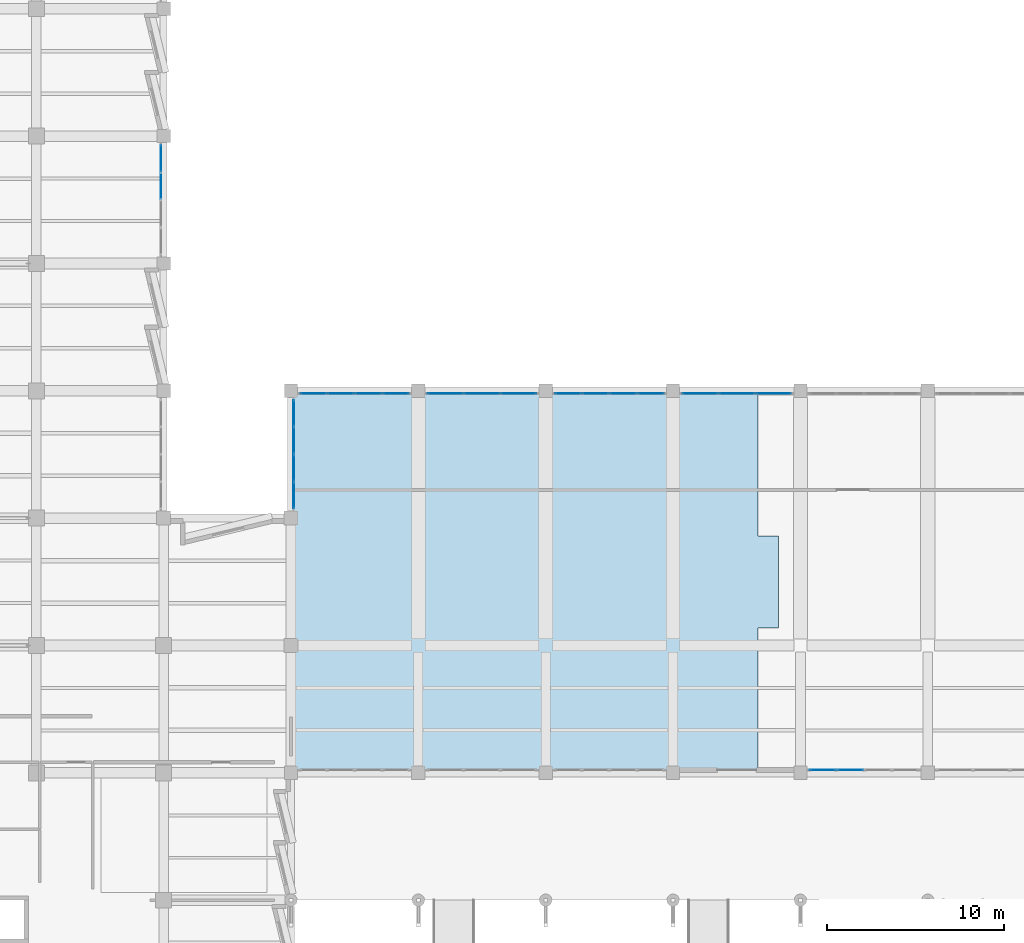
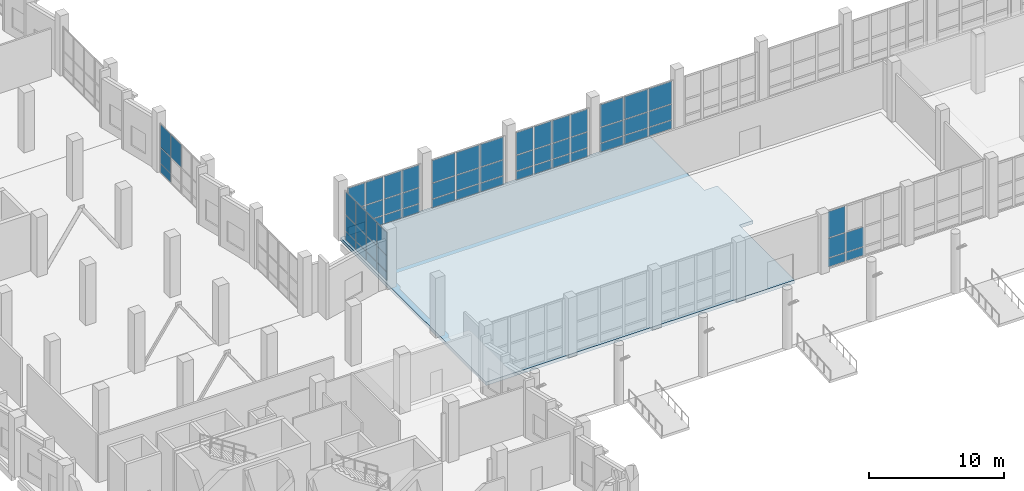
# One storey, part 86 of 137: 63 plates, 1 slab, 7 elements without a shape of their own.
"""IFC4 building model written with IfcOpenShell, lengths in metres."""

import ifcopenshell
import ifcopenshell.guid

model = None  # the IFC model being written
_history = None  # IfcOwnerHistory: only IFC2X3 demands one
_inside = {}  # id of a spatial element -> (the spatial element, [elements in it])
_under = {}  # id of a project, library or spatial element -> (it, [spatial elements below it])
_declared = {}  # id of a project -> (the project, [libraries it declares])
_typed = {}  # id of a type object -> (the type object, [elements of that type])
_made_of = {}  # id of a material, layer set ... -> (it, [elements and type objects made of it])


def new_model(schema):
    """Start an empty IFC model of exactly this schema.

    Asked for "IFC4X3", IfcOpenShell would pick the latest addendum, in which some entities
    have other attributes; the version numbers below select the first issue.
    IFC2X3 requires an IfcOwnerHistory on every rooted entity: one is made here for all.
    """
    global model, _history
    if schema == "IFC4X3":
        model = ifcopenshell.file(schema_version=(4, 3, 0, 0))
    else:
        model = ifcopenshell.file(schema=schema)
    _inside.clear()
    _under.clear()
    _declared.clear()
    _typed.clear()
    _made_of.clear()
    _history = None
    if model.schema == "IFC2X3":
        org = make("IfcOrganization", Name="unknown")
        user = make(
            "IfcPersonAndOrganization",
            ThePerson=make("IfcPerson", FamilyName="unknown"),
            TheOrganization=org,
        )
        app = make(
            "IfcApplication",
            ApplicationDeveloper=org,
            Version="unknown",
            ApplicationFullName="unknown",
            ApplicationIdentifier="unknown",
        )
        _history = make(
            "IfcOwnerHistory",
            OwningUser=user,
            OwningApplication=app,
            ChangeAction="ADDED",
            CreationDate=0,
        )
    return model


def make(cls, **values):
    """One entity of the class cls with the attributes given. An attribute that is None is left unset."""
    return model.create_entity(
        cls, **{name: value for name, value in values.items() if value is not None}
    )


def rooted(cls, **values):
    """An entity with a GlobalId (a new one), such as an element, a storey or a relation."""
    return make(cls, GlobalId=ifcopenshell.guid.new(), OwnerHistory=_history, **values)


def si_unit(unit_type, name, prefix=None):
    """IfcSIUnit, for example si_unit("LENGTHUNIT", "METRE", prefix="MILLI")."""
    return make("IfcSIUnit", UnitType=unit_type, Prefix=prefix, Name=name)


def assignment(units):
    """IfcUnitAssignment: the units of a project."""
    return None if units is None else make("IfcUnitAssignment", Units=units)


def point(xyz):
    """IfcCartesianPoint."""
    return None if xyz is None else make("IfcCartesianPoint", Coordinates=xyz)


def direction(xyz):
    """IfcDirection."""
    return None if xyz is None else make("IfcDirection", DirectionRatios=xyz)


def frame(location, z_axis=None, x_axis=None):
    """IfcAxis2Placement3D, a coordinate frame: its origin and axes. An axis left out is left unset."""
    return make(
        "IfcAxis2Placement3D",
        Location=point(location),
        Axis=direction(z_axis),
        RefDirection=direction(x_axis),
    )


def frame_2d(location, x_axis=None):
    """IfcAxis2Placement2D, a coordinate frame in the plane: its origin and x axis."""
    return make(
        "IfcAxis2Placement2D", Location=point(location), RefDirection=direction(x_axis)
    )


def origin():
    """The frame at (0, 0, 0) with its axes left unset."""
    return frame((0.0, 0.0, 0.0))


def origin_2d():
    """The frame at (0, 0) in the plane with its x axis left unset."""
    return frame_2d((0.0, 0.0))


def place(relative_to, where):
    """IfcLocalPlacement: puts the frame where relative to a parent placement (None: the world)."""
    return make(
        "IfcLocalPlacement", PlacementRelTo=relative_to, RelativePlacement=where
    )


def context(
    kind, dimensions, precision=None, world=None, true_north=None, identifier=None
):
    """IfcGeometricRepresentationContext, for example the 3D "Model" context."""
    return make(
        "IfcGeometricRepresentationContext",
        ContextIdentifier=identifier,
        ContextType=kind,
        CoordinateSpaceDimension=dimensions,
        Precision=precision,
        WorldCoordinateSystem=world,
        TrueNorth=true_north,
    )


def subcontext(parent, identifier, kind, view, scale=None):
    """IfcGeometricRepresentationSubContext, for example "Body" below "Model"."""
    return make(
        "IfcGeometricRepresentationSubContext",
        ContextIdentifier=identifier,
        ContextType=kind,
        ParentContext=parent,
        TargetScale=scale,
        TargetView=view,
    )


def project(units=None, contexts=None):
    """IfcProject with its units and contexts."""
    return rooted(
        "IfcProject",
        Name="project",
        RepresentationContexts=contexts,
        UnitsInContext=assignment(units),
    )


def spatial(cls, under=None, at=None, **own):
    """A site, building, storey or space (cls), placed at a placement, below another one or the project."""
    s = rooted(cls, ObjectPlacement=at, **own)
    if under is not None:
        _under.setdefault(under.id(), (under, []))[1].append(s)
    return s


def polyline(points):
    """IfcPolyline through the points."""
    return make("IfcPolyline", Points=[point(p) for p in points])


def profile(cls, at=None, kind="AREA", **sizes):
    """A parametric profile (cls). Its sizes go by their IFC names, for example OverallWidth=200.0."""
    return make(cls, ProfileType=kind, Position=at, **sizes)


def rectangle(**sizes):
    """IfcRectangleProfileDef."""
    return profile("IfcRectangleProfileDef", **sizes)


def outline(outer, holes=None, kind="AREA"):
    """IfcArbitraryClosedProfileDef: a profile drawn as a closed curve; with holes, ...WithVoids."""
    if holes is None:
        return make("IfcArbitraryClosedProfileDef", ProfileType=kind, OuterCurve=outer)
    return make(
        "IfcArbitraryProfileDefWithVoids",
        ProfileType=kind,
        OuterCurve=outer,
        InnerCurves=holes,
    )


def extrude(swept, where, along, depth):
    """IfcExtrudedAreaSolid: the profile swept, set in the frame where, extruded along a direction by depth."""
    return make(
        "IfcExtrudedAreaSolid",
        SweptArea=swept,
        Position=where,
        ExtrudedDirection=direction(along),
        Depth=depth,
    )


def shape(context_of_items, identifier, shape_type, items):
    """IfcShapeRepresentation: the items that make up one representation, for example the "Body"."""
    return make(
        "IfcShapeRepresentation",
        ContextOfItems=context_of_items,
        RepresentationIdentifier=identifier,
        RepresentationType=shape_type,
        Items=items,
    )


def material(Name=None, Category=None):
    """IfcMaterial."""
    return make("IfcMaterial", Name=Name, Category=Category)


def layer(
    of_material, thickness, ventilated=None, Name=None, Category=None, Priority=None
):
    """IfcMaterialLayer: one layer of a wall or slab, of a material (None: an air gap)."""
    return make(
        "IfcMaterialLayer",
        Material=of_material,
        LayerThickness=thickness,
        IsVentilated=ventilated,
        Name=Name,
        Category=Category,
        Priority=Priority,
    )


def layer_set(layers, Name=None):
    """IfcMaterialLayerSet."""
    return make("IfcMaterialLayerSet", MaterialLayers=layers, LayerSetName=Name)


def made_of(thing, what):
    """Note that an element or type object is made of a material, layer set ...; save() writes the relation."""
    if what is not None:
        _made_of.setdefault(what.id(), (what, []))[1].append(thing)
    return thing


def type_object(cls, material=None, **own):
    """A type object (cls), such as IfcWallType, which elements share."""
    return made_of(rooted(cls, **own), material)


def element(
    cls,
    number,
    at=None,
    inside=None,
    cuts=None,
    type_object=None,
    material=None,
    context=None,
    identifier="Body",
    shape_type=None,
    held_by="IfcProductDefinitionShape",
    body=None,
    shapes=None,
    **own,
):
    """One element of the class cls, such as IfcWall. Its Tag is "e" and its number.

    at: its placement. inside: the storey or other place that contains it. cuts: it is an
    opening in that element (IfcRelVoidsElement). A single representation is given by context,
    identifier, shape_type and body (its items); several are given by shapes. held_by: the class
    of the entity that holds the representations. save() writes the other relations.
    """
    e = rooted(cls, Tag="e%d" % number, ObjectPlacement=at, **own)
    if body is not None:
        shapes = [shape(context, identifier, shape_type, body)]
    if shapes is not None:
        e.Representation = make(held_by, Representations=shapes)
    if inside is not None:
        _inside.setdefault(inside.id(), (inside, []))[1].append(e)
    if cuts is not None:
        rooted(
            "IfcRelVoidsElement", RelatingBuildingElement=cuts, RelatedOpeningElement=e
        )
    if type_object is not None:
        _typed.setdefault(type_object.id(), (type_object, []))[1].append(e)
    return made_of(e, material)


def aggregate(whole, parts):
    """IfcRelAggregates: a whole, such as a stair, and the parts it consists of."""
    return rooted("IfcRelAggregates", RelatingObject=whole, RelatedObjects=parts)


def save(model, path):
    """Write the relations noted so far, then the file.

    IfcRelAggregates (storeys below a building ...), IfcRelContainedInSpatialStructure (elements
    in a storey), IfcRelDefinesByType, IfcRelAssociatesMaterial and IfcRelDeclares: one each for
    every whole, place, type object, material and project.
    """
    for whole, parts in _under.values():
        aggregate(whole, parts)
    for where, things in _inside.values():
        rooted(
            "IfcRelContainedInSpatialStructure",
            RelatedElements=things,
            RelatingStructure=where,
        )
    for kind, things in _typed.values():
        rooted("IfcRelDefinesByType", RelatedObjects=things, RelatingType=kind)
    for what, things in _made_of.values():
        rooted("IfcRelAssociatesMaterial", RelatedObjects=things, RelatingMaterial=what)
    for by, libraries in _declared.values():
        rooted("IfcRelDeclares", RelatingContext=by, RelatedDefinitions=libraries)
    model.write(path)


model = new_model("IFC4")

# Units and contexts
model_context = context("Model", 3, precision=1e-05, world=origin(), true_north=direction((0.0, 1.0)))
body_context = subcontext(model_context, "Body", "Model", "MODEL_VIEW")
ifc_project = project(units=[si_unit("LENGTHUNIT", "METRE"), si_unit("AREAUNIT", "SQUARE_METRE"), si_unit("VOLUMEUNIT", "CUBIC_METRE"), si_unit("PLANEANGLEUNIT", "RADIAN"), si_unit("MASSUNIT", "GRAM", prefix="KILO")], contexts=[model_context])

# Site, building, storey
site_placement = place(None, origin())
site = spatial("IfcSite", under=ifc_project, at=site_placement, CompositionType="ELEMENT")
building_placement = place(site_placement, origin())
building = spatial("IfcBuilding", under=site, at=building_placement, Name="Kalmorath City Hall", CompositionType="ELEMENT")
storey_placement = place(building_placement, origin())
storey = spatial("IfcBuildingStorey", under=building, at=storey_placement, Name="L00", CompositionType="ELEMENT", Elevation=0.0)

# Slab
ifc_material_1 = material(Name="Concrete C40/50", Category="concrete")
ifc_layer_1 = layer(ifc_material_1, 0.300048828125)
ifc_layer_set_1 = layer_set([ifc_layer_1], Name="Concrete C40/50")
slab_type = type_object("IfcSlabType", Name="Concrete ground floor slab 300", PredefinedType="FLOOR", material=ifc_layer_set_1)
slab_placement = place(storey_placement, frame((0.0, 0.0, -0.300048828125)))
element("IfcSlab", 1, at=slab_placement, inside=storey, type_object=slab_type, Name="L00 Public Hall and Citizens Service Centre Pavilion slab FS1-1", PredefinedType="FLOOR", context=body_context, shape_type="SweptSolid", body=[
    extrude(outline(polyline([(62.39990234375, 35.0), (63.550048828125, 35.0), (63.550048828125, 29.800048828125), (62.39990234375, 29.800048828125), (62.39990234375, 21.60009765625), (36.0, 21.60009765625), (36.0, 36.0), (36.0, 43.199951171875), (62.39990234375, 43.199951171875), (62.39990234375, 35.0)])), origin(), (0.0, 0.0, 1.0), 0.300048828125),
])

# Curtain wall, plates
ifc_material_2 = material(Name="Anodised aluminium and laminated glass", Category="aluminium")
curtain_wall_type_1 = type_object("IfcCurtainWallType", Name="Unitised hurricane curtain wall 6270x4461 M1600", PredefinedType="NOTDEFINED", material=ifc_material_2)
curtain_wall_1_placement = place(storey_placement, origin())
curtain_wall_1 = element("IfcCurtainWall", 2, at=curtain_wall_1_placement, inside=storey, type_object=curtain_wall_type_1, Name="L00 curtain wall CW-63X45M16 #57", PredefinedType="NOTDEFINED")
ifc_material_3 = material(Name="Hurricane laminated low-E glass", Category="glass")
ifc_layer_2 = layer(ifc_material_3, 0.028076171875)
ifc_layer_set_2 = layer_set([ifc_layer_2], Name="Hurricane laminated low-E glass")
plate_type_1 = type_object("IfcPlateType", Name="Courtyard solar-control glazed panel 28", PredefinedType="CURTAIN_PANEL", material=ifc_layer_set_2)
plate_1_placement = place(storey_placement, frame((28.639892578125, 56.3349609375, 0.06005859375), z_axis=(0.0, 0.0, 1.0), x_axis=(0.0, -1.0, 0.0)))
plate_1 = element("IfcPlate", 3, at=plate_1_placement, type_object=plate_type_1, Name="CW-63X45M16 panel 1.1", PredefinedType="CURTAIN_PANEL", context=body_context, shape_type="SweptSolid", body=[
    extrude(rectangle(XDim=1.469970703125, YDim=0.028076171875, at=origin_2d()), origin(), (0.0, 0.0, 1.0), 0.760009765625),
])
plate_2_placement = place(storey_placement, frame((28.639892578125, 56.3349609375, 0.8798828125), z_axis=(0.0, 0.0, 1.0), x_axis=(0.0, -1.0, 0.0)))
plate_2 = element("IfcPlate", 4, at=plate_2_placement, type_object=plate_type_1, Name="CW-63X45M16 panel 1.2", PredefinedType="CURTAIN_PANEL", context=body_context, shape_type="SweptSolid", body=[
    extrude(rectangle(XDim=1.469970703125, YDim=0.028076171875, at=origin_2d()), origin(), (0.0, 0.0, 1.0), 1.409912109375),
])
plate_3_placement = place(storey_placement, frame((28.639892578125, 56.3349609375, 2.35009765625), z_axis=(0.0, 0.0, 1.0), x_axis=(0.0, -1.0, 0.0)))
plate_3 = element("IfcPlate", 5, at=plate_3_placement, type_object=plate_type_1, Name="CW-63X45M16 panel 1.3", PredefinedType="CURTAIN_PANEL", context=body_context, shape_type="SweptSolid", body=[
    extrude(rectangle(XDim=1.469970703125, YDim=0.028076171875, at=origin_2d()), origin(), (0.0, 0.0, 1.0), 2.051025390625),
])
plate_4_placement = place(storey_placement, frame((28.639892578125, 54.78369140625, 2.35009765625), z_axis=(0.0, 0.0, 1.0), x_axis=(0.0, -1.0, 0.0)))
plate_4 = element("IfcPlate", 6, at=plate_4_placement, type_object=plate_type_1, Name="CW-63X45M16 panel 2.3", PredefinedType="CURTAIN_PANEL", context=body_context, shape_type="SweptSolid", body=[
    extrude(rectangle(XDim=1.50244140625, YDim=0.028076171875, at=origin_2d()), origin(), (0.0, 0.0, 1.0), 2.051025390625),
])
aggregate(curtain_wall_1, [plate_1, plate_2, plate_3, plate_4])

ifc_material_4 = material(Name="Anodised aluminium and laminated glass", Category="aluminium")
curtain_wall_type_2 = type_object("IfcCurtainWallType", Name="Unitised hurricane curtain wall 6270x5120 M1500", PredefinedType="NOTDEFINED", material=ifc_material_4)
curtain_wall_2_placement = place(storey_placement, origin())
curtain_wall_2 = element("IfcCurtainWall", 7, at=curtain_wall_2_placement, inside=storey, type_object=curtain_wall_type_2, Name="L00 curtain wall CW-63X51M15 #23", PredefinedType="NOTDEFINED")
ifc_material_5 = material(Name="Hurricane laminated low-E glass", Category="glass")
ifc_layer_3 = layer(ifc_material_5, 0.0400390625)
ifc_layer_set_3 = layer_set([ifc_layer_3], Name="Hurricane laminated low-E glass")
plate_type_2 = type_object("IfcPlateType", Name="Public hall laminated glass panel 40", PredefinedType="CURTAIN_PANEL", material=ifc_layer_set_3)
plate_5_placement = place(storey_placement, frame((67.6162109375, 21.760009765625, 0.06494140625), z_axis=(0.0, 0.0, 1.0), x_axis=(-1.0, 0.0, 0.0)))
plate_5 = element("IfcPlate", 8, at=plate_5_placement, type_object=plate_type_2, Name="CW-63X51M15 panel 3.1", PredefinedType="CURTAIN_PANEL", context=body_context, shape_type="SweptSolid", body=[
    extrude(rectangle(XDim=1.492431640625, YDim=0.0400390625, at=origin_2d()), origin(), (0.0, 0.0, 1.0), 0.75244140625),
])
plate_6_placement = place(storey_placement, frame((67.6162109375, 21.760009765625, 0.882568359375), z_axis=(0.0, 0.0, 1.0), x_axis=(-1.0, 0.0, 0.0)))
plate_6 = element("IfcPlate", 9, at=plate_6_placement, type_object=plate_type_2, Name="CW-63X51M15 panel 3.2", PredefinedType="CURTAIN_PANEL", context=body_context, shape_type="SweptSolid", body=[
    extrude(rectangle(XDim=1.492431640625, YDim=0.0400390625, at=origin_2d()), origin(), (0.0, 0.0, 1.0), 1.7470703125),
])
plate_7_placement = place(storey_placement, frame((66.0673828125, 21.760009765625, 0.06494140625), z_axis=(0.0, 0.0, 1.0), x_axis=(-1.0, 0.0, 0.0)))
plate_7 = element("IfcPlate", 10, at=plate_7_placement, type_object=plate_type_2, Name="CW-63X51M15 panel 4.1", PredefinedType="CURTAIN_PANEL", context=body_context, shape_type="SweptSolid", body=[
    extrude(rectangle(XDim=1.455078125, YDim=0.0400390625, at=origin_2d()), origin(), (0.0, 0.0, 1.0), 0.75244140625),
])
plate_8_placement = place(storey_placement, frame((66.0673828125, 21.760009765625, 0.882568359375), z_axis=(0.0, 0.0, 1.0), x_axis=(-1.0, 0.0, 0.0)))
plate_8 = element("IfcPlate", 11, at=plate_8_placement, type_object=plate_type_2, Name="CW-63X51M15 panel 4.2", PredefinedType="CURTAIN_PANEL", context=body_context, shape_type="SweptSolid", body=[
    extrude(rectangle(XDim=1.455078125, YDim=0.0400390625, at=origin_2d()), origin(), (0.0, 0.0, 1.0), 1.7470703125),
])
plate_9_placement = place(storey_placement, frame((66.0673828125, 21.760009765625, 2.6943359375), z_axis=(0.0, 0.0, 1.0), x_axis=(-1.0, 0.0, 0.0)))
plate_9 = element("IfcPlate", 12, at=plate_9_placement, type_object=plate_type_2, Name="CW-63X51M15 panel 4.3", PredefinedType="CURTAIN_PANEL", context=body_context, shape_type="SweptSolid", body=[
    extrude(rectangle(XDim=1.455078125, YDim=0.0400390625, at=origin_2d()), origin(), (0.0, 0.0, 1.0), 2.360595703125),
])
aggregate(curtain_wall_2, [plate_5, plate_6, plate_7, plate_8, plate_9])

ifc_material_6 = material(Name="Anodised aluminium and laminated glass", Category="aluminium")
curtain_wall_type_3 = type_object("IfcCurtainWallType", Name="Unitised hurricane curtain wall 6245x4461 M1500", PredefinedType="NOTDEFINED", material=ifc_material_6)
curtain_wall_3_placement = place(storey_placement, origin())
curtain_wall_3 = element("IfcCurtainWall", 13, at=curtain_wall_3_placement, inside=storey, type_object=curtain_wall_type_3, Name="L00 curtain wall CW-62X45M15 #27", PredefinedType="NOTDEFINED")
plate_10_placement = place(storey_placement, frame((36.159912109375, 37.289306640625, 0.06494140625), z_axis=(0.0, 0.0, 1.0), x_axis=(0.0, 1.0, 0.0)))
plate_10 = element("IfcPlate", 14, at=plate_10_placement, type_object=plate_type_2, Name="CW-62X45M15 panel 1.1", PredefinedType="CURTAIN_PANEL", context=body_context, shape_type="SweptSolid", body=[
    extrude(rectangle(XDim=1.44873046875, YDim=0.0400390625, at=origin_2d()), origin(), (0.0, 0.0, 1.0), 0.75244140625),
])
plate_11_placement = place(storey_placement, frame((36.159912109375, 37.289306640625, 0.88232421875), z_axis=(0.0, 0.0, 1.0), x_axis=(0.0, 1.0, 0.0)))
plate_11 = element("IfcPlate", 15, at=plate_11_placement, type_object=plate_type_2, Name="CW-62X45M15 panel 1.2", PredefinedType="CURTAIN_PANEL", context=body_context, shape_type="SweptSolid", body=[
    extrude(rectangle(XDim=1.44873046875, YDim=0.0400390625, at=origin_2d()), origin(), (0.0, 0.0, 1.0), 1.405029296875),
])
plate_12_placement = place(storey_placement, frame((36.159912109375, 37.289306640625, 2.3525390625), z_axis=(0.0, 0.0, 1.0), x_axis=(0.0, 1.0, 0.0)))
plate_12 = element("IfcPlate", 16, at=plate_12_placement, type_object=plate_type_2, Name="CW-62X45M15 panel 1.3", PredefinedType="CURTAIN_PANEL", context=body_context, shape_type="SweptSolid", body=[
    extrude(rectangle(XDim=1.44873046875, YDim=0.0400390625, at=origin_2d()), origin(), (0.0, 0.0, 1.0), 2.04345703125),
])
plate_13_placement = place(storey_placement, frame((36.159912109375, 38.831787109375, 0.06494140625), z_axis=(0.0, 0.0, 1.0), x_axis=(0.0, 1.0, 0.0)))
plate_13 = element("IfcPlate", 17, at=plate_13_placement, type_object=plate_type_2, Name="CW-62X45M15 panel 2.1", PredefinedType="CURTAIN_PANEL", context=body_context, shape_type="SweptSolid", body=[
    extrude(rectangle(XDim=1.486328125, YDim=0.0400390625, at=origin_2d()), origin(), (0.0, 0.0, 1.0), 0.75244140625),
])
plate_14_placement = place(storey_placement, frame((36.159912109375, 38.831787109375, 0.88232421875), z_axis=(0.0, 0.0, 1.0), x_axis=(0.0, 1.0, 0.0)))
plate_14 = element("IfcPlate", 18, at=plate_14_placement, type_object=plate_type_2, Name="CW-62X45M15 panel 2.2", PredefinedType="CURTAIN_PANEL", context=body_context, shape_type="SweptSolid", body=[
    extrude(rectangle(XDim=1.486328125, YDim=0.0400390625, at=origin_2d()), origin(), (0.0, 0.0, 1.0), 1.405029296875),
])
plate_15_placement = place(storey_placement, frame((36.159912109375, 38.831787109375, 2.3525390625), z_axis=(0.0, 0.0, 1.0), x_axis=(0.0, 1.0, 0.0)))
plate_15 = element("IfcPlate", 19, at=plate_15_placement, type_object=plate_type_2, Name="CW-62X45M15 panel 2.3", PredefinedType="CURTAIN_PANEL", context=body_context, shape_type="SweptSolid", body=[
    extrude(rectangle(XDim=1.486328125, YDim=0.0400390625, at=origin_2d()), origin(), (0.0, 0.0, 1.0), 2.04345703125),
])
plate_16_placement = place(storey_placement, frame((36.159912109375, 40.39306640625, 0.06494140625), z_axis=(0.0, 0.0, 1.0), x_axis=(0.0, 1.0, 0.0)))
plate_16 = element("IfcPlate", 20, at=plate_16_placement, type_object=plate_type_2, Name="CW-62X45M15 panel 3.1", PredefinedType="CURTAIN_PANEL", context=body_context, shape_type="SweptSolid", body=[
    extrude(rectangle(XDim=1.486328125, YDim=0.0400390625, at=origin_2d()), origin(), (0.0, 0.0, 1.0), 0.75244140625),
])
plate_17_placement = place(storey_placement, frame((36.159912109375, 40.39306640625, 0.88232421875), z_axis=(0.0, 0.0, 1.0), x_axis=(0.0, 1.0, 0.0)))
plate_17 = element("IfcPlate", 21, at=plate_17_placement, type_object=plate_type_2, Name="CW-62X45M15 panel 3.2", PredefinedType="CURTAIN_PANEL", context=body_context, shape_type="SweptSolid", body=[
    extrude(rectangle(XDim=1.486328125, YDim=0.0400390625, at=origin_2d()), origin(), (0.0, 0.0, 1.0), 1.405029296875),
])
plate_18_placement = place(storey_placement, frame((36.159912109375, 40.39306640625, 2.3525390625), z_axis=(0.0, 0.0, 1.0), x_axis=(0.0, 1.0, 0.0)))
plate_18 = element("IfcPlate", 22, at=plate_18_placement, type_object=plate_type_2, Name="CW-62X45M15 panel 3.3", PredefinedType="CURTAIN_PANEL", context=body_context, shape_type="SweptSolid", body=[
    extrude(rectangle(XDim=1.486328125, YDim=0.0400390625, at=origin_2d()), origin(), (0.0, 0.0, 1.0), 2.04345703125),
])
plate_19_placement = place(storey_placement, frame((36.159912109375, 41.935546875, 0.06494140625), z_axis=(0.0, 0.0, 1.0), x_axis=(0.0, 1.0, 0.0)))
plate_19 = element("IfcPlate", 23, at=plate_19_placement, type_object=plate_type_2, Name="CW-62X45M15 panel 4.1", PredefinedType="CURTAIN_PANEL", context=body_context, shape_type="SweptSolid", body=[
    extrude(rectangle(XDim=1.44873046875, YDim=0.0400390625, at=origin_2d()), origin(), (0.0, 0.0, 1.0), 0.75244140625),
])
plate_20_placement = place(storey_placement, frame((36.159912109375, 41.935546875, 0.88232421875), z_axis=(0.0, 0.0, 1.0), x_axis=(0.0, 1.0, 0.0)))
plate_20 = element("IfcPlate", 24, at=plate_20_placement, type_object=plate_type_2, Name="CW-62X45M15 panel 4.2", PredefinedType="CURTAIN_PANEL", context=body_context, shape_type="SweptSolid", body=[
    extrude(rectangle(XDim=1.44873046875, YDim=0.0400390625, at=origin_2d()), origin(), (0.0, 0.0, 1.0), 1.405029296875),
])
plate_21_placement = place(storey_placement, frame((36.159912109375, 41.935546875, 2.3525390625), z_axis=(0.0, 0.0, 1.0), x_axis=(0.0, 1.0, 0.0)))
plate_21 = element("IfcPlate", 25, at=plate_21_placement, type_object=plate_type_2, Name="CW-62X45M15 panel 4.3", PredefinedType="CURTAIN_PANEL", context=body_context, shape_type="SweptSolid", body=[
    extrude(rectangle(XDim=1.44873046875, YDim=0.0400390625, at=origin_2d()), origin(), (0.0, 0.0, 1.0), 2.04345703125),
])
aggregate(curtain_wall_3, [plate_10, plate_11, plate_12, plate_13, plate_14, plate_15, plate_16, plate_17, plate_18, plate_19, plate_20, plate_21])

ifc_material_7 = material(Name="Anodised aluminium and laminated glass", Category="aluminium")
curtain_wall_type_4 = type_object("IfcCurtainWallType", Name="Unitised hurricane curtain wall 6270x4411 M1500", PredefinedType="NOTDEFINED", material=ifc_material_7)
curtain_wall_4_placement = place(storey_placement, origin())
curtain_wall_4 = element("IfcCurtainWall", 26, at=curtain_wall_4_placement, inside=storey, type_object=curtain_wall_type_4, Name="L00 curtain wall CW-63X44M15 #28", PredefinedType="NOTDEFINED")
plate_22_placement = place(storey_placement, frame((37.267578125, 43.0400390625, 0.06494140625), z_axis=(0.0, 0.0, 1.0), x_axis=(1.0, 0.0, 0.0)))
plate_22 = element("IfcPlate", 27, at=plate_22_placement, type_object=plate_type_2, Name="CW-63X44M15 panel 1.1", PredefinedType="CURTAIN_PANEL", context=body_context, shape_type="SweptSolid", body=[
    extrude(rectangle(XDim=1.455078125, YDim=0.0400390625, at=origin_2d()), origin(), (0.0, 0.0, 1.0), 0.75244140625),
])
plate_23_placement = place(storey_placement, frame((37.267578125, 43.0400390625, 0.882568359375), z_axis=(0.0, 0.0, 1.0), x_axis=(1.0, 0.0, 0.0)))
plate_23 = element("IfcPlate", 28, at=plate_23_placement, type_object=plate_type_2, Name="CW-63X44M15 panel 1.2", PredefinedType="CURTAIN_PANEL", context=body_context, shape_type="SweptSolid", body=[
    extrude(rectangle(XDim=1.455078125, YDim=0.0400390625, at=origin_2d()), origin(), (0.0, 0.0, 1.0), 1.37890625),
])
plate_24_placement = place(storey_placement, frame((37.267578125, 43.0400390625, 2.326416015625), z_axis=(0.0, 0.0, 1.0), x_axis=(1.0, 0.0, 0.0)))
plate_24 = element("IfcPlate", 29, at=plate_24_placement, type_object=plate_type_2, Name="CW-63X44M15 panel 1.3", PredefinedType="CURTAIN_PANEL", context=body_context, shape_type="SweptSolid", body=[
    extrude(rectangle(XDim=1.455078125, YDim=0.0400390625, at=origin_2d()), origin(), (0.0, 0.0, 1.0), 2.01953125),
])
plate_25_placement = place(storey_placement, frame((38.816162109375, 43.0400390625, 0.06494140625), z_axis=(0.0, 0.0, 1.0), x_axis=(1.0, 0.0, 0.0)))
plate_25 = element("IfcPlate", 30, at=plate_25_placement, type_object=plate_type_2, Name="CW-63X44M15 panel 2.1", PredefinedType="CURTAIN_PANEL", context=body_context, shape_type="SweptSolid", body=[
    extrude(rectangle(XDim=1.492431640625, YDim=0.0400390625, at=origin_2d()), origin(), (0.0, 0.0, 1.0), 0.75244140625),
])
plate_26_placement = place(storey_placement, frame((38.816162109375, 43.0400390625, 0.882568359375), z_axis=(0.0, 0.0, 1.0), x_axis=(1.0, 0.0, 0.0)))
plate_26 = element("IfcPlate", 31, at=plate_26_placement, type_object=plate_type_2, Name="CW-63X44M15 panel 2.2", PredefinedType="CURTAIN_PANEL", context=body_context, shape_type="SweptSolid", body=[
    extrude(rectangle(XDim=1.492431640625, YDim=0.0400390625, at=origin_2d()), origin(), (0.0, 0.0, 1.0), 1.37890625),
])
plate_27_placement = place(storey_placement, frame((38.816162109375, 43.0400390625, 2.326416015625), z_axis=(0.0, 0.0, 1.0), x_axis=(1.0, 0.0, 0.0)))
plate_27 = element("IfcPlate", 32, at=plate_27_placement, type_object=plate_type_2, Name="CW-63X44M15 panel 2.3", PredefinedType="CURTAIN_PANEL", context=body_context, shape_type="SweptSolid", body=[
    extrude(rectangle(XDim=1.492431640625, YDim=0.0400390625, at=origin_2d()), origin(), (0.0, 0.0, 1.0), 2.01953125),
])
plate_28_placement = place(storey_placement, frame((40.3837890625, 43.0400390625, 0.06494140625), z_axis=(0.0, 0.0, 1.0), x_axis=(1.0, 0.0, 0.0)))
plate_28 = element("IfcPlate", 33, at=plate_28_placement, type_object=plate_type_2, Name="CW-63X44M15 panel 3.1", PredefinedType="CURTAIN_PANEL", context=body_context, shape_type="SweptSolid", body=[
    extrude(rectangle(XDim=1.492431640625, YDim=0.0400390625, at=origin_2d()), origin(), (0.0, 0.0, 1.0), 0.75244140625),
])
plate_29_placement = place(storey_placement, frame((40.3837890625, 43.0400390625, 0.882568359375), z_axis=(0.0, 0.0, 1.0), x_axis=(1.0, 0.0, 0.0)))
plate_29 = element("IfcPlate", 34, at=plate_29_placement, type_object=plate_type_2, Name="CW-63X44M15 panel 3.2", PredefinedType="CURTAIN_PANEL", context=body_context, shape_type="SweptSolid", body=[
    extrude(rectangle(XDim=1.492431640625, YDim=0.0400390625, at=origin_2d()), origin(), (0.0, 0.0, 1.0), 1.37890625),
])
plate_30_placement = place(storey_placement, frame((40.3837890625, 43.0400390625, 2.326416015625), z_axis=(0.0, 0.0, 1.0), x_axis=(1.0, 0.0, 0.0)))
plate_30 = element("IfcPlate", 35, at=plate_30_placement, type_object=plate_type_2, Name="CW-63X44M15 panel 3.3", PredefinedType="CURTAIN_PANEL", context=body_context, shape_type="SweptSolid", body=[
    extrude(rectangle(XDim=1.492431640625, YDim=0.0400390625, at=origin_2d()), origin(), (0.0, 0.0, 1.0), 2.01953125),
])
plate_31_placement = place(storey_placement, frame((41.9326171875, 43.0400390625, 0.06494140625), z_axis=(0.0, 0.0, 1.0), x_axis=(1.0, 0.0, 0.0)))
plate_31 = element("IfcPlate", 36, at=plate_31_placement, type_object=plate_type_2, Name="CW-63X44M15 panel 4.1", PredefinedType="CURTAIN_PANEL", context=body_context, shape_type="SweptSolid", body=[
    extrude(rectangle(XDim=1.455078125, YDim=0.0400390625, at=origin_2d()), origin(), (0.0, 0.0, 1.0), 0.75244140625),
])
plate_32_placement = place(storey_placement, frame((41.9326171875, 43.0400390625, 0.882568359375), z_axis=(0.0, 0.0, 1.0), x_axis=(1.0, 0.0, 0.0)))
plate_32 = element("IfcPlate", 37, at=plate_32_placement, type_object=plate_type_2, Name="CW-63X44M15 panel 4.2", PredefinedType="CURTAIN_PANEL", context=body_context, shape_type="SweptSolid", body=[
    extrude(rectangle(XDim=1.455078125, YDim=0.0400390625, at=origin_2d()), origin(), (0.0, 0.0, 1.0), 1.37890625),
])
plate_33_placement = place(storey_placement, frame((41.9326171875, 43.0400390625, 2.326416015625), z_axis=(0.0, 0.0, 1.0), x_axis=(1.0, 0.0, 0.0)))
plate_33 = element("IfcPlate", 38, at=plate_33_placement, type_object=plate_type_2, Name="CW-63X44M15 panel 4.3", PredefinedType="CURTAIN_PANEL", context=body_context, shape_type="SweptSolid", body=[
    extrude(rectangle(XDim=1.455078125, YDim=0.0400390625, at=origin_2d()), origin(), (0.0, 0.0, 1.0), 2.01953125),
])
aggregate(curtain_wall_4, [plate_22, plate_23, plate_24, plate_25, plate_26, plate_27, plate_28, plate_29, plate_30, plate_31, plate_32, plate_33])

ifc_material_8 = material(Name="Anodised aluminium and laminated glass", Category="aluminium")
curtain_wall_type_5 = type_object("IfcCurtainWallType", Name="Unitised hurricane curtain wall 6270x4411 M2100", PredefinedType="NOTDEFINED", material=ifc_material_8)
curtain_wall_5_placement = place(storey_placement, origin())
curtain_wall_5 = element("IfcCurtainWall", 39, at=curtain_wall_5_placement, inside=storey, type_object=curtain_wall_type_5, Name="L00 curtain wall CW-63X44M21 #29", PredefinedType="NOTDEFINED")
plate_34_placement = place(storey_placement, frame((44.728759765625, 43.0400390625, 0.06494140625), z_axis=(0.0, 0.0, 1.0), x_axis=(1.0, 0.0, 0.0)))
plate_34 = element("IfcPlate", 40, at=plate_34_placement, type_object=plate_type_2, Name="CW-63X44M21 panel 1.1", PredefinedType="CURTAIN_PANEL", context=body_context, shape_type="SweptSolid", body=[
    extrude(rectangle(XDim=1.9775390625, YDim=0.0400390625, at=origin_2d()), origin(), (0.0, 0.0, 1.0), 0.75244140625),
])
plate_35_placement = place(storey_placement, frame((44.728759765625, 43.0400390625, 0.882568359375), z_axis=(0.0, 0.0, 1.0), x_axis=(1.0, 0.0, 0.0)))
plate_35 = element("IfcPlate", 41, at=plate_35_placement, type_object=plate_type_2, Name="CW-63X44M21 panel 1.2", PredefinedType="CURTAIN_PANEL", context=body_context, shape_type="SweptSolid", body=[
    extrude(rectangle(XDim=1.9775390625, YDim=0.0400390625, at=origin_2d()), origin(), (0.0, 0.0, 1.0), 1.37890625),
])
plate_36_placement = place(storey_placement, frame((44.728759765625, 43.0400390625, 2.326416015625), z_axis=(0.0, 0.0, 1.0), x_axis=(1.0, 0.0, 0.0)))
plate_36 = element("IfcPlate", 42, at=plate_36_placement, type_object=plate_type_2, Name="CW-63X44M21 panel 1.3", PredefinedType="CURTAIN_PANEL", context=body_context, shape_type="SweptSolid", body=[
    extrude(rectangle(XDim=1.9775390625, YDim=0.0400390625, at=origin_2d()), origin(), (0.0, 0.0, 1.0), 2.01953125),
])
plate_37_placement = place(storey_placement, frame((46.800048828125, 43.0400390625, 0.06494140625), z_axis=(0.0, 0.0, 1.0), x_axis=(1.0, 0.0, 0.0)))
plate_37 = element("IfcPlate", 43, at=plate_37_placement, type_object=plate_type_2, Name="CW-63X44M21 panel 2.1", PredefinedType="CURTAIN_PANEL", context=body_context, shape_type="SweptSolid", body=[
    extrude(rectangle(XDim=2.014892578125, YDim=0.0400390625, at=origin_2d()), origin(), (0.0, 0.0, 1.0), 0.75244140625),
])
plate_38_placement = place(storey_placement, frame((46.800048828125, 43.0400390625, 0.882568359375), z_axis=(0.0, 0.0, 1.0), x_axis=(1.0, 0.0, 0.0)))
plate_38 = element("IfcPlate", 44, at=plate_38_placement, type_object=plate_type_2, Name="CW-63X44M21 panel 2.2", PredefinedType="CURTAIN_PANEL", context=body_context, shape_type="SweptSolid", body=[
    extrude(rectangle(XDim=2.014892578125, YDim=0.0400390625, at=origin_2d()), origin(), (0.0, 0.0, 1.0), 1.37890625),
])
plate_39_placement = place(storey_placement, frame((46.800048828125, 43.0400390625, 2.326416015625), z_axis=(0.0, 0.0, 1.0), x_axis=(1.0, 0.0, 0.0)))
plate_39 = element("IfcPlate", 45, at=plate_39_placement, type_object=plate_type_2, Name="CW-63X44M21 panel 2.3", PredefinedType="CURTAIN_PANEL", context=body_context, shape_type="SweptSolid", body=[
    extrude(rectangle(XDim=2.014892578125, YDim=0.0400390625, at=origin_2d()), origin(), (0.0, 0.0, 1.0), 2.01953125),
])
plate_40_placement = place(storey_placement, frame((48.871337890625, 43.0400390625, 0.06494140625), z_axis=(0.0, 0.0, 1.0), x_axis=(1.0, 0.0, 0.0)))
plate_40 = element("IfcPlate", 46, at=plate_40_placement, type_object=plate_type_2, Name="CW-63X44M21 panel 3.1", PredefinedType="CURTAIN_PANEL", context=body_context, shape_type="SweptSolid", body=[
    extrude(rectangle(XDim=1.9775390625, YDim=0.0400390625, at=origin_2d()), origin(), (0.0, 0.0, 1.0), 0.75244140625),
])
plate_41_placement = place(storey_placement, frame((48.871337890625, 43.0400390625, 0.882568359375), z_axis=(0.0, 0.0, 1.0), x_axis=(1.0, 0.0, 0.0)))
plate_41 = element("IfcPlate", 47, at=plate_41_placement, type_object=plate_type_2, Name="CW-63X44M21 panel 3.2", PredefinedType="CURTAIN_PANEL", context=body_context, shape_type="SweptSolid", body=[
    extrude(rectangle(XDim=1.9775390625, YDim=0.0400390625, at=origin_2d()), origin(), (0.0, 0.0, 1.0), 1.37890625),
])
plate_42_placement = place(storey_placement, frame((48.871337890625, 43.0400390625, 2.326416015625), z_axis=(0.0, 0.0, 1.0), x_axis=(1.0, 0.0, 0.0)))
plate_42 = element("IfcPlate", 48, at=plate_42_placement, type_object=plate_type_2, Name="CW-63X44M21 panel 3.3", PredefinedType="CURTAIN_PANEL", context=body_context, shape_type="SweptSolid", body=[
    extrude(rectangle(XDim=1.9775390625, YDim=0.0400390625, at=origin_2d()), origin(), (0.0, 0.0, 1.0), 2.01953125),
])
aggregate(curtain_wall_5, [plate_34, plate_35, plate_36, plate_37, plate_38, plate_39, plate_40, plate_41, plate_42])

curtain_wall_6_placement = place(storey_placement, origin())
curtain_wall_6 = element("IfcCurtainWall", 49, at=curtain_wall_6_placement, inside=storey, type_object=curtain_wall_type_4, Name="L00 curtain wall CW-63X44M15 #30", PredefinedType="NOTDEFINED")
plate_43_placement = place(storey_placement, frame((51.66748046875, 43.0400390625, 0.06494140625), z_axis=(0.0, 0.0, 1.0), x_axis=(1.0, 0.0, 0.0)))
plate_43 = element("IfcPlate", 50, at=plate_43_placement, type_object=plate_type_2, Name="CW-63X44M15 panel 1.1", PredefinedType="CURTAIN_PANEL", context=body_context, shape_type="SweptSolid", body=[
    extrude(rectangle(XDim=1.455078125, YDim=0.0400390625, at=origin_2d()), origin(), (0.0, 0.0, 1.0), 0.75244140625),
])
plate_44_placement = place(storey_placement, frame((51.66748046875, 43.0400390625, 0.882568359375), z_axis=(0.0, 0.0, 1.0), x_axis=(1.0, 0.0, 0.0)))
plate_44 = element("IfcPlate", 51, at=plate_44_placement, type_object=plate_type_2, Name="CW-63X44M15 panel 1.2", PredefinedType="CURTAIN_PANEL", context=body_context, shape_type="SweptSolid", body=[
    extrude(rectangle(XDim=1.455078125, YDim=0.0400390625, at=origin_2d()), origin(), (0.0, 0.0, 1.0), 1.37890625),
])
plate_45_placement = place(storey_placement, frame((51.66748046875, 43.0400390625, 2.326416015625), z_axis=(0.0, 0.0, 1.0), x_axis=(1.0, 0.0, 0.0)))
plate_45 = element("IfcPlate", 52, at=plate_45_placement, type_object=plate_type_2, Name="CW-63X44M15 panel 1.3", PredefinedType="CURTAIN_PANEL", context=body_context, shape_type="SweptSolid", body=[
    extrude(rectangle(XDim=1.455078125, YDim=0.0400390625, at=origin_2d()), origin(), (0.0, 0.0, 1.0), 2.01953125),
])
plate_46_placement = place(storey_placement, frame((53.21630859375, 43.0400390625, 0.06494140625), z_axis=(0.0, 0.0, 1.0), x_axis=(1.0, 0.0, 0.0)))
plate_46 = element("IfcPlate", 53, at=plate_46_placement, type_object=plate_type_2, Name="CW-63X44M15 panel 2.1", PredefinedType="CURTAIN_PANEL", context=body_context, shape_type="SweptSolid", body=[
    extrude(rectangle(XDim=1.492431640625, YDim=0.0400390625, at=origin_2d()), origin(), (0.0, 0.0, 1.0), 0.75244140625),
])
plate_47_placement = place(storey_placement, frame((53.21630859375, 43.0400390625, 0.882568359375), z_axis=(0.0, 0.0, 1.0), x_axis=(1.0, 0.0, 0.0)))
plate_47 = element("IfcPlate", 54, at=plate_47_placement, type_object=plate_type_2, Name="CW-63X44M15 panel 2.2", PredefinedType="CURTAIN_PANEL", context=body_context, shape_type="SweptSolid", body=[
    extrude(rectangle(XDim=1.492431640625, YDim=0.0400390625, at=origin_2d()), origin(), (0.0, 0.0, 1.0), 1.37890625),
])
plate_48_placement = place(storey_placement, frame((53.21630859375, 43.0400390625, 2.326416015625), z_axis=(0.0, 0.0, 1.0), x_axis=(1.0, 0.0, 0.0)))
plate_48 = element("IfcPlate", 55, at=plate_48_placement, type_object=plate_type_2, Name="CW-63X44M15 panel 2.3", PredefinedType="CURTAIN_PANEL", context=body_context, shape_type="SweptSolid", body=[
    extrude(rectangle(XDim=1.492431640625, YDim=0.0400390625, at=origin_2d()), origin(), (0.0, 0.0, 1.0), 2.01953125),
])
plate_49_placement = place(storey_placement, frame((54.78369140625, 43.0400390625, 0.06494140625), z_axis=(0.0, 0.0, 1.0), x_axis=(1.0, 0.0, 0.0)))
plate_49 = element("IfcPlate", 56, at=plate_49_placement, type_object=plate_type_2, Name="CW-63X44M15 panel 3.1", PredefinedType="CURTAIN_PANEL", context=body_context, shape_type="SweptSolid", body=[
    extrude(rectangle(XDim=1.492431640625, YDim=0.0400390625, at=origin_2d()), origin(), (0.0, 0.0, 1.0), 0.75244140625),
])
plate_50_placement = place(storey_placement, frame((54.78369140625, 43.0400390625, 0.882568359375), z_axis=(0.0, 0.0, 1.0), x_axis=(1.0, 0.0, 0.0)))
plate_50 = element("IfcPlate", 57, at=plate_50_placement, type_object=plate_type_2, Name="CW-63X44M15 panel 3.2", PredefinedType="CURTAIN_PANEL", context=body_context, shape_type="SweptSolid", body=[
    extrude(rectangle(XDim=1.492431640625, YDim=0.0400390625, at=origin_2d()), origin(), (0.0, 0.0, 1.0), 1.37890625),
])
plate_51_placement = place(storey_placement, frame((54.78369140625, 43.0400390625, 2.326416015625), z_axis=(0.0, 0.0, 1.0), x_axis=(1.0, 0.0, 0.0)))
plate_51 = element("IfcPlate", 58, at=plate_51_placement, type_object=plate_type_2, Name="CW-63X44M15 panel 3.3", PredefinedType="CURTAIN_PANEL", context=body_context, shape_type="SweptSolid", body=[
    extrude(rectangle(XDim=1.492431640625, YDim=0.0400390625, at=origin_2d()), origin(), (0.0, 0.0, 1.0), 2.01953125),
])
plate_52_placement = place(storey_placement, frame((56.33251953125, 43.0400390625, 0.06494140625), z_axis=(0.0, 0.0, 1.0), x_axis=(1.0, 0.0, 0.0)))
plate_52 = element("IfcPlate", 59, at=plate_52_placement, type_object=plate_type_2, Name="CW-63X44M15 panel 4.1", PredefinedType="CURTAIN_PANEL", context=body_context, shape_type="SweptSolid", body=[
    extrude(rectangle(XDim=1.455078125, YDim=0.0400390625, at=origin_2d()), origin(), (0.0, 0.0, 1.0), 0.75244140625),
])
plate_53_placement = place(storey_placement, frame((56.33251953125, 43.0400390625, 0.882568359375), z_axis=(0.0, 0.0, 1.0), x_axis=(1.0, 0.0, 0.0)))
plate_53 = element("IfcPlate", 60, at=plate_53_placement, type_object=plate_type_2, Name="CW-63X44M15 panel 4.2", PredefinedType="CURTAIN_PANEL", context=body_context, shape_type="SweptSolid", body=[
    extrude(rectangle(XDim=1.455078125, YDim=0.0400390625, at=origin_2d()), origin(), (0.0, 0.0, 1.0), 1.37890625),
])
plate_54_placement = place(storey_placement, frame((56.33251953125, 43.0400390625, 2.326416015625), z_axis=(0.0, 0.0, 1.0), x_axis=(1.0, 0.0, 0.0)))
plate_54 = element("IfcPlate", 61, at=plate_54_placement, type_object=plate_type_2, Name="CW-63X44M15 panel 4.3", PredefinedType="CURTAIN_PANEL", context=body_context, shape_type="SweptSolid", body=[
    extrude(rectangle(XDim=1.455078125, YDim=0.0400390625, at=origin_2d()), origin(), (0.0, 0.0, 1.0), 2.01953125),
])
aggregate(curtain_wall_6, [plate_43, plate_44, plate_45, plate_46, plate_47, plate_48, plate_49, plate_50, plate_51, plate_52, plate_53, plate_54])

ifc_material_9 = material(Name="Anodised aluminium and laminated glass", Category="aluminium")
curtain_wall_type_6 = type_object("IfcCurtainWallType", Name="Unitised hurricane curtain wall 6270x4411 M1800", PredefinedType="NOTDEFINED", material=ifc_material_9)
curtain_wall_7_placement = place(storey_placement, origin())
curtain_wall_7 = element("IfcCurtainWall", 62, at=curtain_wall_7_placement, inside=storey, type_object=curtain_wall_type_6, Name="L00 curtain wall CW-63X44M18 #31", PredefinedType="NOTDEFINED")
plate_55_placement = place(storey_placement, frame((59.128662109375, 43.0400390625, 0.06494140625), z_axis=(0.0, 0.0, 1.0), x_axis=(1.0, 0.0, 0.0)))
plate_55 = element("IfcPlate", 63, at=plate_55_placement, type_object=plate_type_2, Name="CW-63X44M18 panel 1.1", PredefinedType="CURTAIN_PANEL", context=body_context, shape_type="SweptSolid", body=[
    extrude(rectangle(XDim=1.9775390625, YDim=0.0400390625, at=origin_2d()), origin(), (0.0, 0.0, 1.0), 0.75244140625),
])
plate_56_placement = place(storey_placement, frame((59.128662109375, 43.0400390625, 0.882568359375), z_axis=(0.0, 0.0, 1.0), x_axis=(1.0, 0.0, 0.0)))
plate_56 = element("IfcPlate", 64, at=plate_56_placement, type_object=plate_type_2, Name="CW-63X44M18 panel 1.2", PredefinedType="CURTAIN_PANEL", context=body_context, shape_type="SweptSolid", body=[
    extrude(rectangle(XDim=1.9775390625, YDim=0.0400390625, at=origin_2d()), origin(), (0.0, 0.0, 1.0), 1.37890625),
])
plate_57_placement = place(storey_placement, frame((59.128662109375, 43.0400390625, 2.326416015625), z_axis=(0.0, 0.0, 1.0), x_axis=(1.0, 0.0, 0.0)))
plate_57 = element("IfcPlate", 65, at=plate_57_placement, type_object=plate_type_2, Name="CW-63X44M18 panel 1.3", PredefinedType="CURTAIN_PANEL", context=body_context, shape_type="SweptSolid", body=[
    extrude(rectangle(XDim=1.9775390625, YDim=0.0400390625, at=origin_2d()), origin(), (0.0, 0.0, 1.0), 2.01953125),
])
plate_58_placement = place(storey_placement, frame((61.199951171875, 43.0400390625, 0.06494140625), z_axis=(0.0, 0.0, 1.0), x_axis=(1.0, 0.0, 0.0)))
plate_58 = element("IfcPlate", 66, at=plate_58_placement, type_object=plate_type_2, Name="CW-63X44M18 panel 2.1", PredefinedType="CURTAIN_PANEL", context=body_context, shape_type="SweptSolid", body=[
    extrude(rectangle(XDim=2.014892578125, YDim=0.0400390625, at=origin_2d()), origin(), (0.0, 0.0, 1.0), 0.75244140625),
])
plate_59_placement = place(storey_placement, frame((61.199951171875, 43.0400390625, 0.882568359375), z_axis=(0.0, 0.0, 1.0), x_axis=(1.0, 0.0, 0.0)))
plate_59 = element("IfcPlate", 67, at=plate_59_placement, type_object=plate_type_2, Name="CW-63X44M18 panel 2.2", PredefinedType="CURTAIN_PANEL", context=body_context, shape_type="SweptSolid", body=[
    extrude(rectangle(XDim=2.014892578125, YDim=0.0400390625, at=origin_2d()), origin(), (0.0, 0.0, 1.0), 1.37890625),
])
plate_60_placement = place(storey_placement, frame((61.199951171875, 43.0400390625, 2.326416015625), z_axis=(0.0, 0.0, 1.0), x_axis=(1.0, 0.0, 0.0)))
plate_60 = element("IfcPlate", 68, at=plate_60_placement, type_object=plate_type_2, Name="CW-63X44M18 panel 2.3", PredefinedType="CURTAIN_PANEL", context=body_context, shape_type="SweptSolid", body=[
    extrude(rectangle(XDim=2.014892578125, YDim=0.0400390625, at=origin_2d()), origin(), (0.0, 0.0, 1.0), 2.01953125),
])
plate_61_placement = place(storey_placement, frame((63.271240234375, 43.0400390625, 0.06494140625), z_axis=(0.0, 0.0, 1.0), x_axis=(1.0, 0.0, 0.0)))
plate_61 = element("IfcPlate", 69, at=plate_61_placement, type_object=plate_type_2, Name="CW-63X44M18 panel 3.1", PredefinedType="CURTAIN_PANEL", context=body_context, shape_type="SweptSolid", body=[
    extrude(rectangle(XDim=1.9775390625, YDim=0.0400390625, at=origin_2d()), origin(), (0.0, 0.0, 1.0), 0.75244140625),
])
plate_62_placement = place(storey_placement, frame((63.271240234375, 43.0400390625, 0.882568359375), z_axis=(0.0, 0.0, 1.0), x_axis=(1.0, 0.0, 0.0)))
plate_62 = element("IfcPlate", 70, at=plate_62_placement, type_object=plate_type_2, Name="CW-63X44M18 panel 3.2", PredefinedType="CURTAIN_PANEL", context=body_context, shape_type="SweptSolid", body=[
    extrude(rectangle(XDim=1.9775390625, YDim=0.0400390625, at=origin_2d()), origin(), (0.0, 0.0, 1.0), 1.37890625),
])
plate_63_placement = place(storey_placement, frame((63.271240234375, 43.0400390625, 2.326416015625), z_axis=(0.0, 0.0, 1.0), x_axis=(1.0, 0.0, 0.0)))
plate_63 = element("IfcPlate", 71, at=plate_63_placement, type_object=plate_type_2, Name="CW-63X44M18 panel 3.3", PredefinedType="CURTAIN_PANEL", context=body_context, shape_type="SweptSolid", body=[
    extrude(rectangle(XDim=1.9775390625, YDim=0.0400390625, at=origin_2d()), origin(), (0.0, 0.0, 1.0), 2.01953125),
])
aggregate(curtain_wall_7, [plate_55, plate_56, plate_57, plate_58, plate_59, plate_60, plate_61, plate_62, plate_63])

save(model, "model.ifc")
